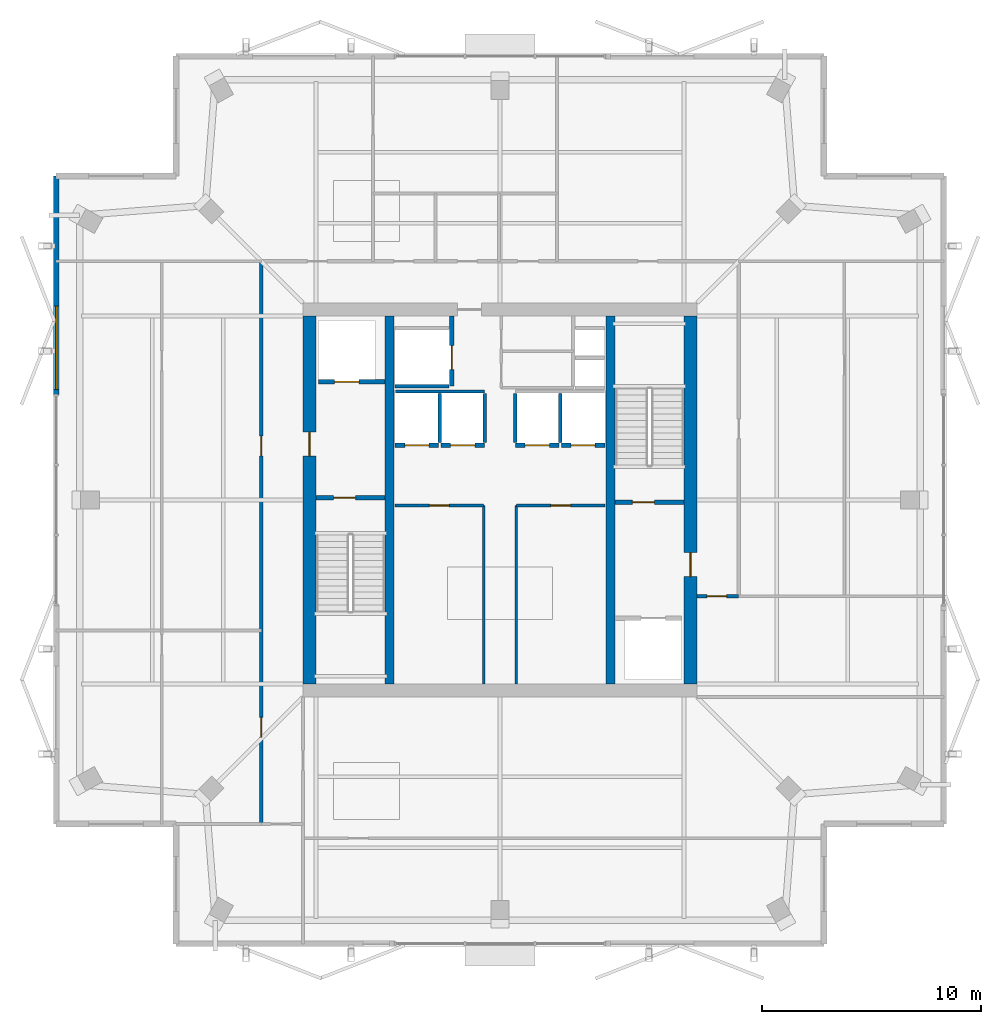
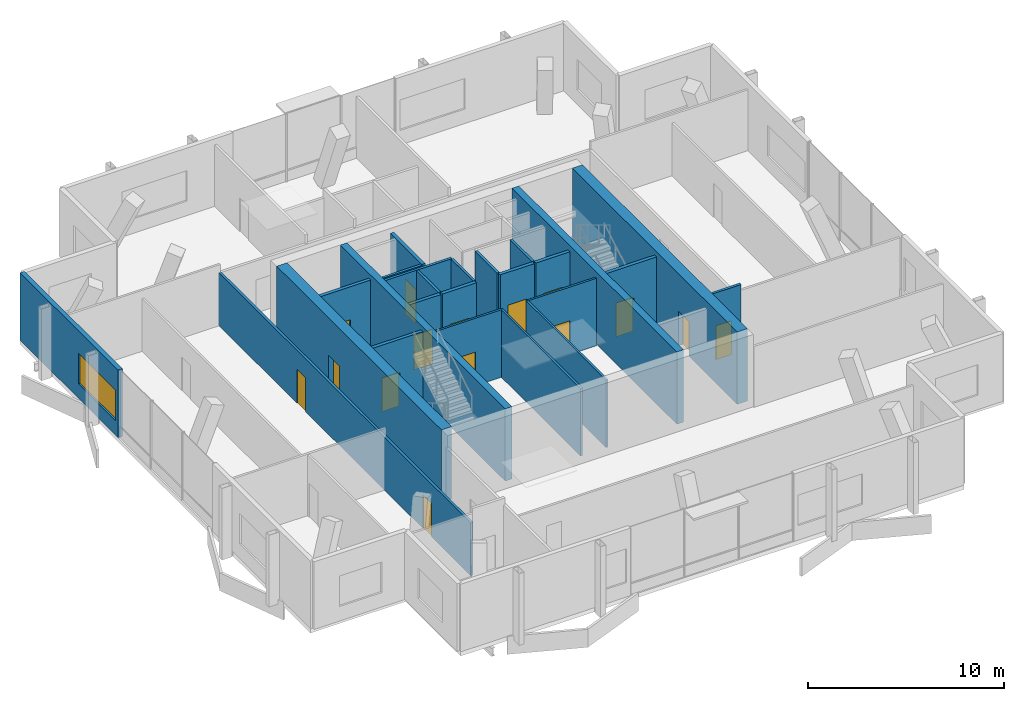
# One storey, part 12 of 16: 25 walls, 15 doors, 1 window, 16 openings.
"""IFC4 building model written with IfcOpenShell, lengths in metres."""

from ifc_helpers import new_model, si_unit, direction, frame, frame_2d, origin, place, context, subcontext, project, spatial, rectangle, extrude, material, layer, layer_set, type_object, element, fill, save


model = new_model("IFC4")

# Units and contexts
model_context = context("Model", 3, precision=1e-05, world=origin(), true_north=direction((0.0, 1.0)))
body_context = subcontext(model_context, "Body", "Model", "MODEL_VIEW")
ifc_project = project(units=[si_unit("LENGTHUNIT", "METRE"), si_unit("AREAUNIT", "SQUARE_METRE"), si_unit("VOLUMEUNIT", "CUBIC_METRE"), si_unit("PLANEANGLEUNIT", "RADIAN"), si_unit("MASSUNIT", "GRAM", prefix="KILO")], contexts=[model_context])

# Site, building, storey
site_placement = place(None, origin())
site = spatial("IfcSite", under=ifc_project, at=site_placement, CompositionType="ELEMENT")
building_placement = place(site_placement, origin())
building = spatial("IfcBuilding", under=site, at=building_placement, Name="Belovzor Exchange Tower", CompositionType="ELEMENT")
storey_placement = place(building_placement, frame((0.0, 0.0, 364.5)))
storey = spatial("IfcBuildingStorey", under=building, at=storey_placement, Name="L91", CompositionType="ELEMENT", Elevation=364.5)

# Wall, opening, door
ifc_material_1 = material(Name="Fire-Rated Plasterboard on Galvanised Studs", Category="gypsum")
ifc_layer_1 = layer(ifc_material_1, 0.1201171875)
ifc_layer_set_1 = layer_set([ifc_layer_1], Name="Fire-Rated Plasterboard on Galvanised Studs")
wall_type_1 = type_object("IfcWallType", Name="Fire-Rated Double-Stud Partition Wall 120", PredefinedType="PARTITIONING", material=ifc_layer_set_1)
wall_1_placement = place(storey_placement, frame((24.0, 28.550048828125, 0.0), z_axis=(0.0, 0.0, 1.0), x_axis=(1.0, 0.0, 0.0)))
wall_1 = element("IfcWall", 1, at=wall_1_placement, inside=storey, type_object=wall_type_1, Name="W-P120F Partition Wall W-CRWB-L91-N", PredefinedType="PARTITIONING", context=body_context, shape_type="SweptSolid", body=[
    extrude(rectangle(XDim=4.050048828125, YDim=0.1201171875, at=frame_2d((2.02490234375, 0.0))), origin(), (0.0, 0.0, 1.0), 4.199951171875),
])
opening_1_placement = place(wall_1_placement, frame((1.574951171875, 0.0, 0.0)))
opening_1 = element("IfcOpeningElement", 2, at=opening_1_placement, cuts=wall_1, Name="Opening D-FD60-090", PredefinedType="OPENING", context=body_context, shape_type="SweptSolid", body=[
    extrude(rectangle(XDim=0.89990234375, YDim=2.10009765625, at=frame_2d((0.449951171875, 1.050048828125))), frame((0.0, 0.070068359375, 0.0), z_axis=(0.0, -1.0, 0.0), x_axis=(1.0, 0.0, 0.0)), (0.0, 0.0, 1.0), 0.14013671875),
])
ifc_material_2 = material(Name="Acoustic Timber Fire Leaf", Category="wood")
door_type_1 = type_object("IfcDoorType", Name="Core Service & Restroom Fire Door 900x2100", OperationType="NOTDEFINED", PredefinedType="DOOR", material=ifc_material_2)
door_1_placement = place(opening_1_placement, origin())
door_1 = element("IfcDoor", 3, at=door_1_placement, inside=storey, type_object=door_type_1, Name="D-FD60-090 Core Service & Restroom Fire Door 900x2100", OperationType="SINGLE_SWING_LEFT", OverallHeight=2.10009765625, OverallWidth=0.89990234375, PredefinedType="DOOR", context=body_context, shape_type="SweptSolid", body=[
    extrude(rectangle(XDim=0.89990234375, YDim=2.10009765625, at=frame_2d((0.449951171875, 1.050048828125))), frame((0.0, 0.02490234375, 0.0), z_axis=(0.0, -1.0, 0.0), x_axis=(1.0, 0.0, 0.0)), (0.0, 0.0, 1.0), 0.050048828125),
])
fill(opening_1, door_1)

# Wall
wall_2_placement = place(storey_placement, frame((28.050048828125, 20.39990234375, 0.0), z_axis=(0.0, 0.0, 1.0), x_axis=(0.0, 1.0, 0.0)))
element("IfcWall", 4, at=wall_2_placement, inside=storey, type_object=wall_type_1, Name="W-P120F Partition Wall W-CRWB-L91-E", PredefinedType="PARTITIONING", context=body_context, shape_type="SweptSolid", body=[
    extrude(rectangle(XDim=8.150146484375, YDim=0.1201171875, at=frame_2d((4.0751953125, 0.0))), origin(), (0.0, 0.0, 1.0), 4.199951171875),
])

# Wall, opening, door
wall_3_placement = place(storey_placement, frame((29.550048828125, 28.550048828125, 0.0), z_axis=(0.0, 0.0, 1.0), x_axis=(1.0, 0.0, 0.0)))
wall_3 = element("IfcWall", 5, at=wall_3_placement, inside=storey, type_object=wall_type_1, Name="W-P120F Partition Wall W-CREB-L91-N", PredefinedType="PARTITIONING", context=body_context, shape_type="SweptSolid", body=[
    extrude(rectangle(XDim=4.050048828125, YDim=0.1201171875, at=frame_2d((2.02490234375, 0.0))), origin(), (0.0, 0.0, 1.0), 4.199951171875),
])
opening_2_placement = place(wall_3_placement, frame((1.574951171875, 0.0, 0.0)))
opening_2 = element("IfcOpeningElement", 6, at=opening_2_placement, cuts=wall_3, Name="Opening D-FD60-090", PredefinedType="OPENING", context=body_context, shape_type="SweptSolid", body=[
    extrude(rectangle(XDim=0.89990234375, YDim=2.10009765625, at=frame_2d((0.449951171875, 1.050048828125))), frame((0.0, 0.070068359375, 0.0), z_axis=(0.0, -1.0, 0.0), x_axis=(1.0, 0.0, 0.0)), (0.0, 0.0, 1.0), 0.14013671875),
])
door_2_placement = place(opening_2_placement, origin())
door_2 = element("IfcDoor", 7, at=door_2_placement, inside=storey, type_object=door_type_1, Name="D-FD60-090 Core Service & Restroom Fire Door 900x2100", OperationType="SINGLE_SWING_RIGHT", OverallHeight=2.10009765625, OverallWidth=0.89990234375, PredefinedType="DOOR", context=body_context, shape_type="SweptSolid", body=[
    extrude(rectangle(XDim=0.89990234375, YDim=2.10009765625, at=frame_2d((0.449951171875, 1.050048828125))), frame((0.0, 0.02490234375, 0.0), z_axis=(0.0, -1.0, 0.0), x_axis=(1.0, 0.0, 0.0)), (0.0, 0.0, 1.0), 0.050048828125),
])
fill(opening_2, door_2)

# Wall
wall_4_placement = place(storey_placement, frame((29.550048828125, 20.39990234375, 0.0), z_axis=(0.0, 0.0, 1.0), x_axis=(0.0, 1.0, 0.0)))
element("IfcWall", 8, at=wall_4_placement, inside=storey, type_object=wall_type_1, Name="W-P120F Partition Wall W-CREB-L91-W", PredefinedType="PARTITIONING", context=body_context, shape_type="SweptSolid", body=[
    extrude(rectangle(XDim=8.150146484375, YDim=0.1201171875, at=frame_2d((4.0751953125, 0.0))), origin(), (0.0, 0.0, 1.0), 4.199951171875),
])

# Wall, opening, door
ifc_material_3 = material(Name="Fire-Rated Gypsum Block and Mineral Wool", Category="gypsum")
ifc_layer_2 = layer(ifc_material_3, 0.14990234375)
ifc_layer_set_2 = layer_set([ifc_layer_2], Name="Fire-Rated Gypsum Block and Mineral Wool")
wall_type_2 = type_object("IfcWallType", Name="Fire-Rated Gypsum Block Corridor Wall 150", PredefinedType="PARTITIONING", material=ifc_layer_set_2)
wall_5_placement = place(storey_placement, frame((37.800048828125, 24.39990234375, 0.0), z_axis=(0.0, 0.0, 1.0), x_axis=(1.0, 0.0, 0.0)))
wall_5 = element("IfcWall", 9, at=wall_5_placement, inside=storey, type_object=wall_type_2, Name="W-P150 Partition Wall W-L91-CE-END", PredefinedType="PARTITIONING", context=body_context, shape_type="SweptSolid", body=[
    extrude(rectangle(XDim=1.89990234375, YDim=0.14990234375, at=frame_2d((0.949951171875, 0.0))), origin(), (0.0, 0.0, 1.0), 4.199951171875),
])
opening_3_placement = place(wall_5_placement, frame((0.449951171875, 0.0, 0.0)))
opening_3 = element("IfcOpeningElement", 10, at=opening_3_placement, cuts=wall_5, Name="Opening D-FD60-090", PredefinedType="OPENING", context=body_context, shape_type="SweptSolid", body=[
    extrude(rectangle(XDim=0.89990234375, YDim=2.10009765625, at=frame_2d((0.449951171875, 1.050048828125))), frame((0.0, 0.0849609375, 0.0), z_axis=(0.0, -1.0, 0.0), x_axis=(1.0, 0.0, 0.0)), (0.0, 0.0, 1.0), 0.169921875),
])
door_3_placement = place(opening_3_placement, origin())
door_3 = element("IfcDoor", 11, at=door_3_placement, inside=storey, type_object=door_type_1, Name="D-FD60-090 Core Service & Restroom Fire Door 900x2100", OperationType="SINGLE_SWING_LEFT", OverallHeight=2.10009765625, OverallWidth=0.89990234375, PredefinedType="DOOR", context=body_context, shape_type="SweptSolid", body=[
    extrude(rectangle(XDim=0.89990234375, YDim=2.10009765625, at=frame_2d((0.449951171875, 1.050048828125))), frame((0.0, 0.02490234375, 0.0), z_axis=(0.0, -1.0, 0.0), x_axis=(1.0, 0.0, 0.0)), (0.0, 0.0, 1.0), 0.050048828125),
])
fill(opening_3, door_3)

# Wall, openings, doors
wall_6_placement = place(storey_placement, frame((17.89990234375, 14.0, 0.0), z_axis=(0.0, 0.0, 1.0), x_axis=(0.0, 1.0, 0.0)))
wall_6 = element("IfcWall", 12, at=wall_6_placement, inside=storey, type_object=wall_type_2, Name="W-P150 Partition Wall W-L91-CW", PredefinedType="PARTITIONING", context=body_context, shape_type="SweptSolid", body=[
    extrude(rectangle(XDim=25.699951171875, YDim=0.14990234375, at=frame_2d((12.85009765625, 0.0))), origin(), (0.0, 0.0, 1.0), 3.284912109375),
])
opening_4_placement = place(wall_6_placement, frame((3.970947265625, 0.0, 0.0)))
opening_4 = element("IfcOpeningElement", 13, at=opening_4_placement, cuts=wall_6, Name="Opening D-INT-090", PredefinedType="OPENING", context=body_context, shape_type="SweptSolid", body=[
    extrude(rectangle(XDim=0.89990234375, YDim=2.10009765625, at=frame_2d((0.449951171875, 1.050048828125))), frame((0.0, 0.0849609375, 0.0), z_axis=(0.0, -1.0, 0.0), x_axis=(1.0, 0.0, 0.0)), (0.0, 0.0, 1.0), 0.169921875),
])
opening_5_placement = place(wall_6_placement, frame((16.821044921875, 0.0, 0.0)))
opening_5 = element("IfcOpeningElement", 14, at=opening_5_placement, cuts=wall_6, Name="Opening D-INT-090", PredefinedType="OPENING", context=body_context, shape_type="SweptSolid", body=[
    extrude(rectangle(XDim=0.89990234375, YDim=2.10009765625, at=frame_2d((0.449951171875, 1.050048828125))), frame((0.0, 0.0849609375, 0.0), z_axis=(0.0, -1.0, 0.0), x_axis=(1.0, 0.0, 0.0)), (0.0, 0.0, 1.0), 0.169921875),
])
ifc_material_4 = material(Name="Veneered Hardwood Acoustic Leaf", Category="wood")
door_type_2 = type_object("IfcDoorType", Name="Trading Suite Acoustic Single Door 900x2100", OperationType="NOTDEFINED", PredefinedType="DOOR", material=ifc_material_4)
door_4_placement = place(opening_4_placement, origin())
door_4 = element("IfcDoor", 15, at=door_4_placement, inside=storey, type_object=door_type_2, Name="D-INT-090 Trading Suite Acoustic Single Door 900x2100", OperationType="SINGLE_SWING_RIGHT", OverallHeight=2.10009765625, OverallWidth=0.89990234375, PredefinedType="DOOR", context=body_context, shape_type="SweptSolid", body=[
    extrude(rectangle(XDim=0.89990234375, YDim=2.10009765625, at=frame_2d((0.449951171875, 1.050048828125))), frame((0.0, 0.02490234375, 0.0), z_axis=(0.0, -1.0, 0.0), x_axis=(1.0, 0.0, 0.0)), (0.0, 0.0, 1.0), 0.050048828125),
])
fill(opening_4, door_4)
door_5_placement = place(opening_5_placement, origin())
door_5 = element("IfcDoor", 16, at=door_5_placement, inside=storey, type_object=door_type_2, Name="D-INT-090 Trading Suite Acoustic Single Door 900x2100", OperationType="SINGLE_SWING_LEFT", OverallHeight=2.10009765625, OverallWidth=0.89990234375, PredefinedType="DOOR", context=body_context, shape_type="SweptSolid", body=[
    extrude(rectangle(XDim=0.89990234375, YDim=2.10009765625, at=frame_2d((0.449951171875, 1.050048828125))), frame((0.0, 0.02490234375, 0.0), z_axis=(0.0, -1.0, 0.0), x_axis=(1.0, 0.0, 0.0)), (0.0, 0.0, 1.0), 0.050048828125),
])
fill(opening_5, door_5)

# Wall, opening, window
ifc_material_5 = material(Name="Precast concrete C40/50", Category="concrete")
ifc_layer_3 = layer(ifc_material_5, 0.260009765625)
ifc_layer_set_3 = layer_set([ifc_layer_3], Name="Precast concrete C40/50")
wall_type_3 = type_object("IfcWallType", Name="Precast Concrete Perimeter Loggia Frame Wall 260", PredefinedType="SOLIDWALL", material=ifc_layer_set_3)
wall_7_placement = place(storey_placement, frame((8.530029296875, 33.60009765625, 0.0), z_axis=(0.0, 0.0, 1.0), x_axis=(0.0, 1.0, 0.0)))
wall_7 = element("IfcWall", 17, at=wall_7_placement, inside=storey, type_object=wall_type_3, Name="W-EXT260 Precast Concrete Perimeter Loggia Frame Wall 260 L91", PredefinedType="SOLIDWALL", context=body_context, shape_type="SweptSolid", body=[
    extrude(rectangle(XDim=10.0, YDim=0.260009765625, at=frame_2d((5.0, 0.0))), origin(), (0.0, 0.0, 1.0), 4.199951171875),
])
opening_6_placement = place(wall_7_placement, frame((0.25, 0.0, 0.89990234375)))
opening_6 = element("IfcOpeningElement", 18, at=opening_6_placement, cuts=wall_7, Name="Opening WN-RIB380", PredefinedType="OPENING", context=body_context, shape_type="SweptSolid", body=[
    extrude(rectangle(XDim=3.800048828125, YDim=1.89990234375, at=frame_2d((1.89990234375, 0.949951171875))), frame((0.0, 0.139892578125, 0.0), z_axis=(0.0, -1.0, 0.0), x_axis=(1.0, 0.0, 0.0)), (0.0, 0.0, 1.0), 0.280029296875),
])
ifc_material_6 = material(Name="Thermally Broken Aluminium and Triple Glazing", Category="aluminium")
window_type = type_object("IfcWindowType", Name="Streamline Moderne Horizontal Ribbon Window 3800x1900", PartitioningType="SINGLE_PANEL", PredefinedType="WINDOW", material=ifc_material_6)
window_placement = place(opening_6_placement, origin())
window = element("IfcWindow", 19, at=window_placement, inside=storey, type_object=window_type, Name="WN-RIB380 Streamline Moderne Horizontal Ribbon Window 3800x1900", OverallHeight=1.89990234375, OverallWidth=3.800048828125, PartitioningType="SINGLE_PANEL", PredefinedType="WINDOW", context=body_context, shape_type="SweptSolid", body=[
    extrude(rectangle(XDim=3.800048828125, YDim=1.89990234375, at=frame_2d((1.89990234375, 0.949951171875))), frame((0.0, 0.030029296875, 0.0), z_axis=(0.0, -1.0, 0.0), x_axis=(1.0, 0.0, 0.0)), (0.0, 0.0, 1.0), 0.06005859375),
])
fill(opening_6, window)

# Walls
ifc_material_7 = material(Name="Concrete C50/60", Category="concrete")
ifc_layer_4 = layer(ifc_material_7, 0.39990234375)
ifc_layer_set_4 = layer_set([ifc_layer_4], Name="Concrete C50/60")
wall_type_4 = type_object("IfcWallType", Name="Reinforced Concrete Core Internal Web Wall 400", PredefinedType="SHEAR", material=ifc_layer_set_4)
for number, where, z_axis, x_axis, name in (
    (20, (23.75, 20.39990234375, 0.0), (0.0, 0.0, 1.0), (0.0, 1.0, 0.0), "CW-W040 Core Internal Web Wall L91 WL"),
    (21, (33.85009765625, 20.39990234375, 0.0), (0.0, 0.0, 1.0), (0.0, 1.0, 0.0), "CW-W040 Core Internal Web Wall L91 ER"),
):
    element("IfcWall", number, at=place(storey_placement, frame(where, z_axis=z_axis, x_axis=x_axis)), inside=storey, type_object=wall_type_4, Name=name, PredefinedType="SHEAR", context=body_context, shape_type="SweptSolid", body=[
        extrude(rectangle(XDim=16.800048828125, YDim=0.39990234375, at=frame_2d((8.39990234375, 0.0))), origin(), (0.0, 0.0, 1.0), 4.5),
    ])
ifc_material_8 = material(Name="Concrete C50/60", Category="concrete")
ifc_layer_5 = layer(ifc_material_8, 0.14990234375)
ifc_layer_set_5 = layer_set([ifc_layer_5], Name="Concrete C50/60")
wall_type_5 = type_object("IfcWallType", Name="Reinforced Concrete Core Riser Shear Wall 150", PredefinedType="SHEAR", material=ifc_layer_set_5)
wall_8_placement = place(storey_placement, frame((24.0, 34.0, 0.0), z_axis=(0.0, 0.0, 1.0), x_axis=(1.0, 0.0, 0.0)))
element("IfcWall", 22, at=wall_8_placement, inside=storey, type_object=wall_type_5, Name="W-C150S Core Shaft Wall W-SH-L91-SL-01S", PredefinedType="SHEAR", context=body_context, shape_type="SweptSolid", body=[
    extrude(rectangle(XDim=2.47998046875, YDim=0.14990234375, at=frame_2d((1.239990234375, 0.0))), origin(), (0.0, 0.0, 1.0), 4.199951171875),
])
wall_9_placement = place(storey_placement, frame((24.02001953125, 33.760009765625, 0.0), z_axis=(0.0, 0.0, 1.0), x_axis=(1.0, 0.0, 0.0)))
element("IfcWall", 23, at=wall_9_placement, inside=storey, type_object=wall_type_5, Name="W-C150S Core Shaft Wall W-SHB-L91-PLH-NW", PredefinedType="SHEAR", context=body_context, shape_type="SweptSolid", body=[
    extrude(rectangle(XDim=4.080078125, YDim=0.14990234375, at=frame_2d((2.0400390625, 0.0))), origin(), (0.0, 0.0, 1.0), 4.199951171875),
])
for number, where, z_axis, x_axis, name in (
    (24, (26.050048828125, 31.419921875, 0.0), (0.0, 0.0, 1.0), (0.0, 1.0, 0.0), "W-C150S Core Shaft Wall W-SHD-L91-PLH-1"),
    (25, (28.10009765625, 31.419921875, 0.0), (0.0, 0.0, 1.0), (0.0, 1.0, 0.0), "W-C150S Core Shaft Wall W-SHD-L91-PLH-2"),
    (26, (29.5, 31.419921875, 0.0), (0.0, 0.0, 1.0), (0.0, 1.0, 0.0), "W-C150S Core Shaft Wall W-SHD-L91-PLH-3"),
    (27, (31.550048828125, 31.419921875, 0.0), (0.0, 0.0, 1.0), (0.0, 1.0, 0.0), "W-C150S Core Shaft Wall W-SHD-L91-PLH-4"),
):
    element("IfcWall", number, at=place(storey_placement, frame(where, z_axis=z_axis, x_axis=x_axis)), inside=storey, type_object=wall_type_5, Name=name, PredefinedType="SHEAR", context=body_context, shape_type="SweptSolid", body=[
        extrude(rectangle(XDim=2.239990234375, YDim=0.14990234375, at=frame_2d((1.1201171875, 0.0))), origin(), (0.0, 0.0, 1.0), 4.199951171875),
    ])

# Wall, opening, door
ifc_material_9 = material(Name="Concrete C50/60", Category="concrete")
ifc_layer_6 = layer(ifc_material_9, 0.199951171875)
ifc_layer_set_6 = layer_set([ifc_layer_6], Name="Concrete C50/60")
wall_type_6 = type_object("IfcWallType", Name="Reinforced Concrete Core Shaft Shear Wall 200", PredefinedType="SHEAR", material=ifc_layer_set_6)
wall_10_placement = place(storey_placement, frame((20.39990234375, 28.89990234375, 0.0), z_axis=(0.0, 0.0, 1.0), x_axis=(1.0, 0.0, 0.0)))
wall_10 = element("IfcWall", 28, at=wall_10_placement, inside=storey, type_object=wall_type_6, Name="W-C200S Core Shaft Wall W-CORE-L91-FFLW1", PredefinedType="SHEAR", context=body_context, shape_type="SweptSolid", body=[
    extrude(rectangle(XDim=3.150146484375, YDim=0.199951171875, at=frame_2d((1.5751953125, 0.0))), origin(), (0.0, 0.0, 1.0), 4.199951171875),
])
opening_7_placement = place(wall_10_placement, frame((0.800048828125, 0.0, 0.0)))
opening_7 = element("IfcOpeningElement", 29, at=opening_7_placement, cuts=wall_10, Name="Opening D-FD90-100", PredefinedType="OPENING", context=body_context, shape_type="SweptSolid", body=[
    extrude(rectangle(XDim=1.0, YDim=2.10009765625, at=frame_2d((0.5, 1.050048828125))), frame((0.0, 0.10986328125, 0.0), z_axis=(0.0, -1.0, 0.0), x_axis=(1.0, 0.0, 0.0)), (0.0, 0.0, 1.0), 0.219970703125),
])
ifc_material_10 = material(Name="Fire-Rated Galvanised Steel Leaf", Category="steel")
door_type_3 = type_object("IfcDoorType", Name="Protected Stairwell Single Fire Door 1000x2100", OperationType="NOTDEFINED", PredefinedType="DOOR", material=ifc_material_10)
door_6_placement = place(opening_7_placement, origin())
door_6 = element("IfcDoor", 30, at=door_6_placement, inside=storey, type_object=door_type_3, Name="D-FD90-100 Protected Stairwell Single Fire Door 1000x2100", OperationType="SINGLE_SWING_RIGHT", OverallHeight=2.10009765625, OverallWidth=1.0, PredefinedType="DOOR", context=body_context, shape_type="SweptSolid", body=[
    extrude(rectangle(XDim=1.0, YDim=2.10009765625, at=frame_2d((0.5, 1.050048828125))), frame((0.0, 0.02490234375, 0.0), z_axis=(0.0, -1.0, 0.0), x_axis=(1.0, 0.0, 0.0)), (0.0, 0.0, 1.0), 0.050048828125),
])
fill(opening_7, door_6)

wall_11_placement = place(storey_placement, frame((34.050048828125, 28.699951171875, 0.0), z_axis=(0.0, 0.0, 1.0), x_axis=(1.0, 0.0, 0.0)))
wall_11 = element("IfcWall", 31, at=wall_11_placement, inside=storey, type_object=wall_type_6, Name="W-C200S Core Shaft Wall W-CORE-L91-FFLE2", PredefinedType="SHEAR", context=body_context, shape_type="SweptSolid", body=[
    extrude(rectangle(XDim=3.14990234375, YDim=0.199951171875, at=frame_2d((1.574951171875, 0.0))), origin(), (0.0, 0.0, 1.0), 4.199951171875),
])
opening_8_placement = place(wall_11_placement, frame((0.800048828125, 0.0, 0.0)))
opening_8 = element("IfcOpeningElement", 32, at=opening_8_placement, cuts=wall_11, Name="Opening D-FD90-100", PredefinedType="OPENING", context=body_context, shape_type="SweptSolid", body=[
    extrude(rectangle(XDim=1.0, YDim=2.10009765625, at=frame_2d((0.5, 1.050048828125))), frame((0.0, 0.10986328125, 0.0), z_axis=(0.0, -1.0, 0.0), x_axis=(1.0, 0.0, 0.0)), (0.0, 0.0, 1.0), 0.219970703125),
])
door_7_placement = place(opening_8_placement, origin())
door_7 = element("IfcDoor", 33, at=door_7_placement, inside=storey, type_object=door_type_3, Name="D-FD90-100 Protected Stairwell Single Fire Door 1000x2100", OperationType="SINGLE_SWING_LEFT", OverallHeight=2.10009765625, OverallWidth=1.0, PredefinedType="DOOR", context=body_context, shape_type="SweptSolid", body=[
    extrude(rectangle(XDim=1.0, YDim=2.10009765625, at=frame_2d((0.5, 1.050048828125))), frame((0.0, 0.02490234375, 0.0), z_axis=(0.0, -1.0, 0.0), x_axis=(1.0, 0.0, 0.0)), (0.0, 0.0, 1.0), 0.050048828125),
])
fill(opening_8, door_7)

wall_12_placement = place(storey_placement, frame((20.5, 34.199951171875, 0.0), z_axis=(0.0, 0.0, 1.0), x_axis=(1.0, 0.0, 0.0)))
wall_12 = element("IfcWall", 34, at=wall_12_placement, inside=storey, type_object=wall_type_6, Name="W-C200S Core Shaft Wall W-SH-L91-FFL-01", PredefinedType="SHEAR", context=body_context, shape_type="SweptSolid", body=[
    extrude(rectangle(XDim=3.050048828125, YDim=0.199951171875, at=frame_2d((1.52490234375, 0.0))), origin(), (0.0, 0.0, 1.0), 4.199951171875),
])
opening_9_placement = place(wall_12_placement, frame((0.75, 0.0, 0.0)))
opening_9 = element("IfcOpeningElement", 35, at=opening_9_placement, cuts=wall_12, Name="Opening LD-110", PredefinedType="OPENING", context=body_context, shape_type="SweptSolid", body=[
    extrude(rectangle(XDim=1.10009765625, YDim=2.14990234375, at=frame_2d((0.550048828125, 1.074951171875))), frame((0.0, 0.10986328125, 0.0), z_axis=(0.0, -1.0, 0.0), x_axis=(1.0, 0.0, 0.0)), (0.0, 0.0, 1.0), 0.219970703125),
])
ifc_material_11 = material(Name="Stainless Steel Grade 304", Category="steel")
door_type_4 = type_object("IfcDoorType", Name="Automated Stainless Steel Lift Landing Door 1100x2150", OperationType="SLIDING_TO_RIGHT", PredefinedType="DOOR", material=ifc_material_11)
door_8_placement = place(opening_9_placement, origin())
door_8 = element("IfcDoor", 36, at=door_8_placement, inside=storey, type_object=door_type_4, Name="LD-110 Automated Stainless Steel Lift Landing Door 1100x2150", OperationType="SLIDING_TO_RIGHT", OverallHeight=2.14990234375, OverallWidth=1.10009765625, PredefinedType="DOOR", context=body_context, shape_type="SweptSolid", body=[
    extrude(rectangle(XDim=1.10009765625, YDim=2.14990234375, at=frame_2d((0.550048828125, 1.074951171875))), frame((0.0, 0.02490234375, 0.0), z_axis=(0.0, -1.0, 0.0), x_axis=(1.0, 0.0, 0.0)), (0.0, 0.0, 1.0), 0.050048828125),
])
fill(opening_9, door_8)

wall_13_placement = place(storey_placement, frame((26.60009765625, 34.0, 0.0), z_axis=(0.0, 0.0, 1.0), x_axis=(0.0, 1.0, 0.0)))
wall_13 = element("IfcWall", 37, at=wall_13_placement, inside=storey, type_object=wall_type_6, Name="W-C200S Core Shaft Wall W-SH-L91-SL-01", PredefinedType="SHEAR", context=body_context, shape_type="SweptSolid", body=[
    extrude(rectangle(XDim=3.199951171875, YDim=0.199951171875, at=frame_2d((1.60009765625, 0.0))), origin(), (0.0, 0.0, 1.0), 4.199951171875),
])
opening_10_placement = place(wall_13_placement, frame((0.75, 0.0, 0.0)))
opening_10 = element("IfcOpeningElement", 38, at=opening_10_placement, cuts=wall_13, Name="Opening LD-110", PredefinedType="OPENING", context=body_context, shape_type="SweptSolid", body=[
    extrude(rectangle(XDim=1.10009765625, YDim=2.14990234375, at=frame_2d((0.550048828125, 1.074951171875))), frame((0.0, 0.10986328125, 0.0), z_axis=(0.0, -1.0, 0.0), x_axis=(1.0, 0.0, 0.0)), (0.0, 0.0, 1.0), 0.219970703125),
])
door_9_placement = place(opening_10_placement, origin())
door_9 = element("IfcDoor", 39, at=door_9_placement, inside=storey, type_object=door_type_4, Name="LD-110 Automated Stainless Steel Lift Landing Door 1100x2150", OperationType="SLIDING_TO_RIGHT", OverallHeight=2.14990234375, OverallWidth=1.10009765625, PredefinedType="DOOR", context=body_context, shape_type="SweptSolid", body=[
    extrude(rectangle(XDim=1.10009765625, YDim=2.14990234375, at=frame_2d((0.550048828125, 1.074951171875))), frame((0.0, 0.02490234375, 0.0), z_axis=(0.0, -1.0, 0.0), x_axis=(1.0, 0.0, 0.0)), (0.0, 0.0, 1.0), 0.050048828125),
])
fill(opening_10, door_9)

wall_14_placement = place(storey_placement, frame((24.0, 31.300048828125, 0.0), z_axis=(0.0, 0.0, 1.0), x_axis=(1.0, 0.0, 0.0)))
wall_14 = element("IfcWall", 40, at=wall_14_placement, inside=storey, type_object=wall_type_6, Name="W-C200S Core Shaft Wall W-SH-L91-PL-H1", PredefinedType="SHEAR", context=body_context, shape_type="SweptSolid", body=[
    extrude(rectangle(XDim=2.0, YDim=0.199951171875, at=frame_2d((1.0, 0.0))), origin(), (0.0, 0.0, 1.0), 4.199951171875),
])
opening_11_placement = place(wall_14_placement, frame((0.449951171875, 0.0, 0.0)))
opening_11 = element("IfcOpeningElement", 41, at=opening_11_placement, cuts=wall_14, Name="Opening LD-110", PredefinedType="OPENING", context=body_context, shape_type="SweptSolid", body=[
    extrude(rectangle(XDim=1.10009765625, YDim=2.14990234375, at=frame_2d((0.550048828125, 1.074951171875))), frame((0.0, 0.10986328125, 0.0), z_axis=(0.0, -1.0, 0.0), x_axis=(1.0, 0.0, 0.0)), (0.0, 0.0, 1.0), 0.219970703125),
])
door_10_placement = place(opening_11_placement, origin())
door_10 = element("IfcDoor", 42, at=door_10_placement, inside=storey, type_object=door_type_4, Name="LD-110 Automated Stainless Steel Lift Landing Door 1100x2150", OperationType="SLIDING_TO_RIGHT", OverallHeight=2.14990234375, OverallWidth=1.10009765625, PredefinedType="DOOR", context=body_context, shape_type="SweptSolid", body=[
    extrude(rectangle(XDim=1.10009765625, YDim=2.14990234375, at=frame_2d((0.550048828125, 1.074951171875))), frame((0.0, 0.02490234375, 0.0), z_axis=(0.0, -1.0, 0.0), x_axis=(1.0, 0.0, 0.0)), (0.0, 0.0, 1.0), 0.050048828125),
])
fill(opening_11, door_10)

wall_15_placement = place(storey_placement, frame((26.10009765625, 31.300048828125, 0.0), z_axis=(0.0, 0.0, 1.0), x_axis=(1.0, 0.0, 0.0)))
wall_15 = element("IfcWall", 43, at=wall_15_placement, inside=storey, type_object=wall_type_6, Name="W-C200S Core Shaft Wall W-SH-L91-PL-H2", PredefinedType="SHEAR", context=body_context, shape_type="SweptSolid", body=[
    extrude(rectangle(XDim=2.0, YDim=0.199951171875, at=frame_2d((1.0, 0.0))), origin(), (0.0, 0.0, 1.0), 4.199951171875),
])
opening_12_placement = place(wall_15_placement, frame((0.449951171875, 0.0, 0.0)))
opening_12 = element("IfcOpeningElement", 44, at=opening_12_placement, cuts=wall_15, Name="Opening LD-110", PredefinedType="OPENING", context=body_context, shape_type="SweptSolid", body=[
    extrude(rectangle(XDim=1.10009765625, YDim=2.14990234375, at=frame_2d((0.550048828125, 1.074951171875))), frame((0.0, 0.10986328125, 0.0), z_axis=(0.0, -1.0, 0.0), x_axis=(1.0, 0.0, 0.0)), (0.0, 0.0, 1.0), 0.219970703125),
])
door_11_placement = place(opening_12_placement, origin())
door_11 = element("IfcDoor", 45, at=door_11_placement, inside=storey, type_object=door_type_4, Name="LD-110 Automated Stainless Steel Lift Landing Door 1100x2150", OperationType="SLIDING_TO_RIGHT", OverallHeight=2.14990234375, OverallWidth=1.10009765625, PredefinedType="DOOR", context=body_context, shape_type="SweptSolid", body=[
    extrude(rectangle(XDim=1.10009765625, YDim=2.14990234375, at=frame_2d((0.550048828125, 1.074951171875))), frame((0.0, 0.02490234375, 0.0), z_axis=(0.0, -1.0, 0.0), x_axis=(1.0, 0.0, 0.0)), (0.0, 0.0, 1.0), 0.050048828125),
])
fill(opening_12, door_11)

wall_16_placement = place(storey_placement, frame((29.5, 31.300048828125, 0.0), z_axis=(0.0, 0.0, 1.0), x_axis=(1.0, 0.0, 0.0)))
wall_16 = element("IfcWall", 46, at=wall_16_placement, inside=storey, type_object=wall_type_6, Name="W-C200S Core Shaft Wall W-SH-L91-PL-H3", PredefinedType="SHEAR", context=body_context, shape_type="SweptSolid", body=[
    extrude(rectangle(XDim=2.0, YDim=0.199951171875, at=frame_2d((1.0, 0.0))), origin(), (0.0, 0.0, 1.0), 4.199951171875),
])
opening_13_placement = place(wall_16_placement, frame((0.449951171875, 0.0, 0.0)))
opening_13 = element("IfcOpeningElement", 47, at=opening_13_placement, cuts=wall_16, Name="Opening LD-110", PredefinedType="OPENING", context=body_context, shape_type="SweptSolid", body=[
    extrude(rectangle(XDim=1.10009765625, YDim=2.14990234375, at=frame_2d((0.550048828125, 1.074951171875))), frame((0.0, 0.10986328125, 0.0), z_axis=(0.0, -1.0, 0.0), x_axis=(1.0, 0.0, 0.0)), (0.0, 0.0, 1.0), 0.219970703125),
])
door_12_placement = place(opening_13_placement, origin())
door_12 = element("IfcDoor", 48, at=door_12_placement, inside=storey, type_object=door_type_4, Name="LD-110 Automated Stainless Steel Lift Landing Door 1100x2150", OperationType="SLIDING_TO_RIGHT", OverallHeight=2.14990234375, OverallWidth=1.10009765625, PredefinedType="DOOR", context=body_context, shape_type="SweptSolid", body=[
    extrude(rectangle(XDim=1.10009765625, YDim=2.14990234375, at=frame_2d((0.550048828125, 1.074951171875))), frame((0.0, 0.02490234375, 0.0), z_axis=(0.0, -1.0, 0.0), x_axis=(1.0, 0.0, 0.0)), (0.0, 0.0, 1.0), 0.050048828125),
])
fill(opening_13, door_12)

wall_17_placement = place(storey_placement, frame((31.60009765625, 31.300048828125, 0.0), z_axis=(0.0, 0.0, 1.0), x_axis=(1.0, 0.0, 0.0)))
wall_17 = element("IfcWall", 49, at=wall_17_placement, inside=storey, type_object=wall_type_6, Name="W-C200S Core Shaft Wall W-SH-L91-PL-H4", PredefinedType="SHEAR", context=body_context, shape_type="SweptSolid", body=[
    extrude(rectangle(XDim=2.0, YDim=0.199951171875, at=frame_2d((1.0, 0.0))), origin(), (0.0, 0.0, 1.0), 4.199951171875),
])
opening_14_placement = place(wall_17_placement, frame((0.449951171875, 0.0, 0.0)))
opening_14 = element("IfcOpeningElement", 50, at=opening_14_placement, cuts=wall_17, Name="Opening LD-110", PredefinedType="OPENING", context=body_context, shape_type="SweptSolid", body=[
    extrude(rectangle(XDim=1.10009765625, YDim=2.14990234375, at=frame_2d((0.550048828125, 1.074951171875))), frame((0.0, 0.10986328125, 0.0), z_axis=(0.0, -1.0, 0.0), x_axis=(1.0, 0.0, 0.0)), (0.0, 0.0, 1.0), 0.219970703125),
])
door_13_placement = place(opening_14_placement, origin())
door_13 = element("IfcDoor", 51, at=door_13_placement, inside=storey, type_object=door_type_4, Name="LD-110 Automated Stainless Steel Lift Landing Door 1100x2150", OperationType="SLIDING_TO_RIGHT", OverallHeight=2.14990234375, OverallWidth=1.10009765625, PredefinedType="DOOR", context=body_context, shape_type="SweptSolid", body=[
    extrude(rectangle(XDim=1.10009765625, YDim=2.14990234375, at=frame_2d((0.550048828125, 1.074951171875))), frame((0.0, 0.02490234375, 0.0), z_axis=(0.0, -1.0, 0.0), x_axis=(1.0, 0.0, 0.0)), (0.0, 0.0, 1.0), 0.050048828125),
])
fill(opening_14, door_13)

ifc_material_12 = material(Name="Concrete C50/60", Category="concrete")
ifc_layer_7 = layer(ifc_material_12, 0.60009765625)
ifc_layer_set_7 = layer_set([ifc_layer_7], Name="Concrete C50/60")
wall_type_7 = type_object("IfcWallType", Name="Reinforced Concrete Core Shear Wall 600", PredefinedType="SHEAR", material=ifc_layer_set_7)
wall_18_placement = place(storey_placement, frame((20.10009765625, 20.39990234375, 0.0), z_axis=(0.0, 0.0, 1.0), x_axis=(0.0, 1.0, 0.0)))
wall_18 = element("IfcWall", 52, at=wall_18_placement, inside=storey, type_object=wall_type_7, Name="CW-S060 Core Shear Wall L91 W", PredefinedType="SHEAR", context=body_context, shape_type="SweptSolid", body=[
    extrude(rectangle(XDim=16.800048828125, YDim=0.60009765625, at=frame_2d((8.39990234375, 0.0))), origin(), (0.0, 0.0, 1.0), 4.5),
])
opening_15_placement = place(wall_18_placement, frame((10.39990234375, 0.0, 0.0)))
opening_15 = element("IfcOpeningElement", 53, at=opening_15_placement, cuts=wall_18, Name="Opening D-FD90-110", PredefinedType="OPENING", context=body_context, shape_type="SweptSolid", body=[
    extrude(rectangle(XDim=1.10009765625, YDim=2.14990234375, at=frame_2d((0.550048828125, 1.074951171875))), frame((0.0, 0.31005859375, 0.0), z_axis=(0.0, -1.0, 0.0), x_axis=(1.0, 0.0, 0.0)), (0.0, 0.0, 1.0), 0.6201171875),
])
ifc_material_13 = material(Name="Fire-Rated Galvanised Steel Leaf", Category="steel")
door_type_5 = type_object("IfcDoorType", Name="Protected Escape Vestibule Fire Door 1100x2150", OperationType="NOTDEFINED", PredefinedType="DOOR", material=ifc_material_13)
door_14_placement = place(opening_15_placement, origin())
door_14 = element("IfcDoor", 54, at=door_14_placement, inside=storey, type_object=door_type_5, Name="D-FD90-110 Protected Escape Vestibule Fire Door 1100x2150", OperationType="SINGLE_SWING_LEFT", OverallHeight=2.14990234375, OverallWidth=1.10009765625, PredefinedType="DOOR", context=body_context, shape_type="SweptSolid", body=[
    extrude(rectangle(XDim=1.10009765625, YDim=2.14990234375, at=frame_2d((0.550048828125, 1.074951171875))), frame((0.0, 0.02490234375, 0.0), z_axis=(0.0, -1.0, 0.0), x_axis=(1.0, 0.0, 0.0)), (0.0, 0.0, 1.0), 0.050048828125),
])
fill(opening_15, door_14)

wall_19_placement = place(storey_placement, frame((37.5, 20.39990234375, 0.0), z_axis=(0.0, 0.0, 1.0), x_axis=(0.0, 1.0, 0.0)))
wall_19 = element("IfcWall", 55, at=wall_19_placement, inside=storey, type_object=wall_type_7, Name="CW-S060 Core Shear Wall L91 E", PredefinedType="SHEAR", context=body_context, shape_type="SweptSolid", body=[
    extrude(rectangle(XDim=16.800048828125, YDim=0.60009765625, at=frame_2d((8.39990234375, 0.0))), origin(), (0.0, 0.0, 1.0), 4.5),
])
opening_16_placement = place(wall_19_placement, frame((4.89990234375, 0.0, 0.0)))
opening_16 = element("IfcOpeningElement", 56, at=opening_16_placement, cuts=wall_19, Name="Opening D-FD90-110", PredefinedType="OPENING", context=body_context, shape_type="SweptSolid", body=[
    extrude(rectangle(XDim=1.10009765625, YDim=2.14990234375, at=frame_2d((0.550048828125, 1.074951171875))), frame((0.0, 0.31005859375, 0.0), z_axis=(0.0, -1.0, 0.0), x_axis=(1.0, 0.0, 0.0)), (0.0, 0.0, 1.0), 0.6201171875),
])
door_15_placement = place(opening_16_placement, origin())
door_15 = element("IfcDoor", 57, at=door_15_placement, inside=storey, type_object=door_type_5, Name="D-FD90-110 Protected Escape Vestibule Fire Door 1100x2150", OperationType="SINGLE_SWING_RIGHT", OverallHeight=2.14990234375, OverallWidth=1.10009765625, PredefinedType="DOOR", context=body_context, shape_type="SweptSolid", body=[
    extrude(rectangle(XDim=1.10009765625, YDim=2.14990234375, at=frame_2d((0.550048828125, 1.074951171875))), frame((0.0, 0.02490234375, 0.0), z_axis=(0.0, -1.0, 0.0), x_axis=(1.0, 0.0, 0.0)), (0.0, 0.0, 1.0), 0.050048828125),
])
fill(opening_16, door_15)

save(model, "model.ifc")
